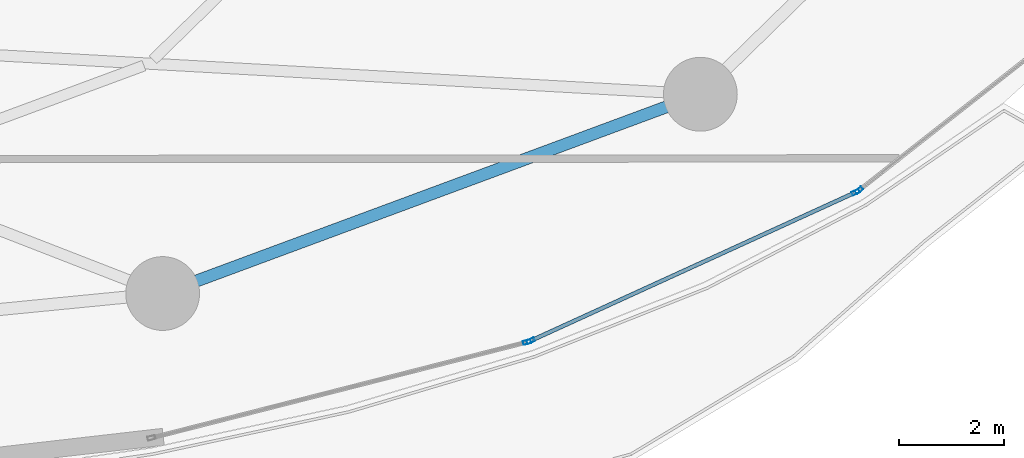
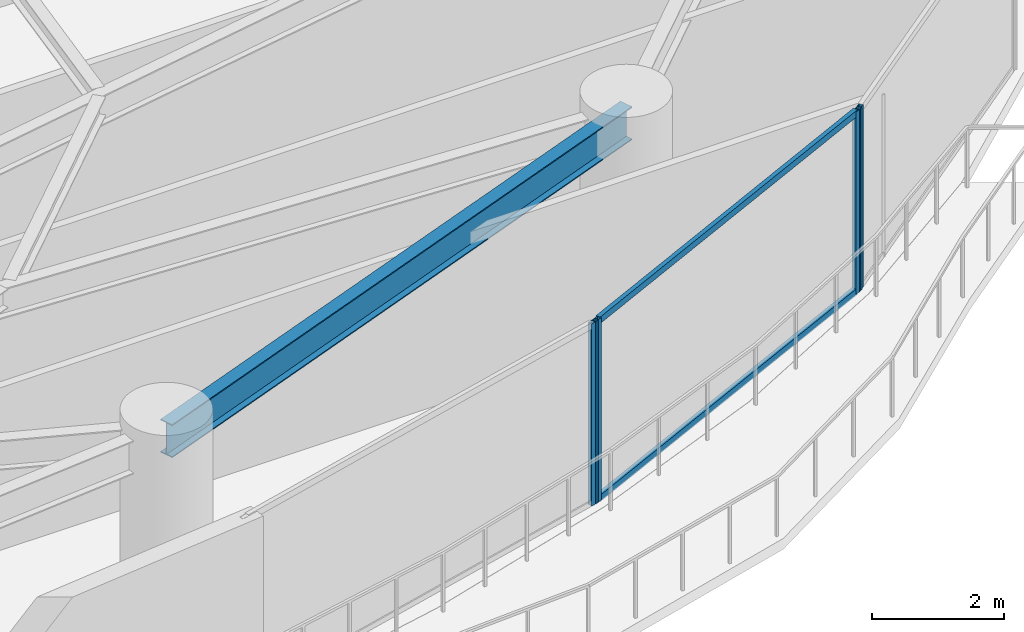
# One storey, part 13 of 31: 6 members, 1 beam, 3 elements without a shape of their own.
"""IFC4 building model written with IfcOpenShell, lengths in metres."""

import ifcopenshell
import ifcopenshell.guid

model = None  # the IFC model being written
_history = None  # IfcOwnerHistory: only IFC2X3 demands one
_inside = {}  # id of a spatial element -> (the spatial element, [elements in it])
_under = {}  # id of a project, library or spatial element -> (it, [spatial elements below it])
_declared = {}  # id of a project -> (the project, [libraries it declares])
_typed = {}  # id of a type object -> (the type object, [elements of that type])
_made_of = {}  # id of a material, layer set ... -> (it, [elements and type objects made of it])


def new_model(schema):
    """Start an empty IFC model of exactly this schema.

    Asked for "IFC4X3", IfcOpenShell would pick the latest addendum, in which some entities
    have other attributes; the version numbers below select the first issue.
    IFC2X3 requires an IfcOwnerHistory on every rooted entity: one is made here for all.
    """
    global model, _history
    if schema == "IFC4X3":
        model = ifcopenshell.file(schema_version=(4, 3, 0, 0))
    else:
        model = ifcopenshell.file(schema=schema)
    _inside.clear()
    _under.clear()
    _declared.clear()
    _typed.clear()
    _made_of.clear()
    _history = None
    if model.schema == "IFC2X3":
        org = make("IfcOrganization", Name="unknown")
        user = make(
            "IfcPersonAndOrganization",
            ThePerson=make("IfcPerson", FamilyName="unknown"),
            TheOrganization=org,
        )
        app = make(
            "IfcApplication",
            ApplicationDeveloper=org,
            Version="unknown",
            ApplicationFullName="unknown",
            ApplicationIdentifier="unknown",
        )
        _history = make(
            "IfcOwnerHistory",
            OwningUser=user,
            OwningApplication=app,
            ChangeAction="ADDED",
            CreationDate=0,
        )
    return model


def make(cls, **values):
    """One entity of the class cls with the attributes given. An attribute that is None is left unset."""
    return model.create_entity(
        cls, **{name: value for name, value in values.items() if value is not None}
    )


def rooted(cls, **values):
    """An entity with a GlobalId (a new one), such as an element, a storey or a relation."""
    return make(cls, GlobalId=ifcopenshell.guid.new(), OwnerHistory=_history, **values)


def si_unit(unit_type, name, prefix=None):
    """IfcSIUnit, for example si_unit("LENGTHUNIT", "METRE", prefix="MILLI")."""
    return make("IfcSIUnit", UnitType=unit_type, Prefix=prefix, Name=name)


def assignment(units):
    """IfcUnitAssignment: the units of a project."""
    return None if units is None else make("IfcUnitAssignment", Units=units)


def point(xyz):
    """IfcCartesianPoint."""
    return None if xyz is None else make("IfcCartesianPoint", Coordinates=xyz)


def direction(xyz):
    """IfcDirection."""
    return None if xyz is None else make("IfcDirection", DirectionRatios=xyz)


def frame(location, z_axis=None, x_axis=None):
    """IfcAxis2Placement3D, a coordinate frame: its origin and axes. An axis left out is left unset."""
    return make(
        "IfcAxis2Placement3D",
        Location=point(location),
        Axis=direction(z_axis),
        RefDirection=direction(x_axis),
    )


def frame_2d(location, x_axis=None):
    """IfcAxis2Placement2D, a coordinate frame in the plane: its origin and x axis."""
    return make(
        "IfcAxis2Placement2D", Location=point(location), RefDirection=direction(x_axis)
    )


def origin():
    """The frame at (0, 0, 0) with its axes left unset."""
    return frame((0.0, 0.0, 0.0))


def origin_2d():
    """The frame at (0, 0) in the plane with its x axis left unset."""
    return frame_2d((0.0, 0.0))


def place(relative_to, where):
    """IfcLocalPlacement: puts the frame where relative to a parent placement (None: the world)."""
    return make(
        "IfcLocalPlacement", PlacementRelTo=relative_to, RelativePlacement=where
    )


def context(
    kind, dimensions, precision=None, world=None, true_north=None, identifier=None
):
    """IfcGeometricRepresentationContext, for example the 3D "Model" context."""
    return make(
        "IfcGeometricRepresentationContext",
        ContextIdentifier=identifier,
        ContextType=kind,
        CoordinateSpaceDimension=dimensions,
        Precision=precision,
        WorldCoordinateSystem=world,
        TrueNorth=true_north,
    )


def subcontext(parent, identifier, kind, view, scale=None):
    """IfcGeometricRepresentationSubContext, for example "Body" below "Model"."""
    return make(
        "IfcGeometricRepresentationSubContext",
        ContextIdentifier=identifier,
        ContextType=kind,
        ParentContext=parent,
        TargetScale=scale,
        TargetView=view,
    )


def project(units=None, contexts=None):
    """IfcProject with its units and contexts."""
    return rooted(
        "IfcProject",
        Name="project",
        RepresentationContexts=contexts,
        UnitsInContext=assignment(units),
    )


def spatial(cls, under=None, at=None, **own):
    """A site, building, storey or space (cls), placed at a placement, below another one or the project."""
    s = rooted(cls, ObjectPlacement=at, **own)
    if under is not None:
        _under.setdefault(under.id(), (under, []))[1].append(s)
    return s


def profile(cls, at=None, kind="AREA", **sizes):
    """A parametric profile (cls). Its sizes go by their IFC names, for example OverallWidth=200.0."""
    return make(cls, ProfileType=kind, Position=at, **sizes)


def hollow_rectangle(**sizes):
    """IfcRectangleHollowProfileDef."""
    return profile("IfcRectangleHollowProfileDef", **sizes)


def i_section(**sizes):
    """IfcIShapeProfileDef."""
    return profile("IfcIShapeProfileDef", **sizes)


def extrude(swept, where, along, depth):
    """IfcExtrudedAreaSolid: the profile swept, set in the frame where, extruded along a direction by depth."""
    return make(
        "IfcExtrudedAreaSolid",
        SweptArea=swept,
        Position=where,
        ExtrudedDirection=direction(along),
        Depth=depth,
    )


def shape(context_of_items, identifier, shape_type, items):
    """IfcShapeRepresentation: the items that make up one representation, for example the "Body"."""
    return make(
        "IfcShapeRepresentation",
        ContextOfItems=context_of_items,
        RepresentationIdentifier=identifier,
        RepresentationType=shape_type,
        Items=items,
    )


def material(Name=None, Category=None):
    """IfcMaterial."""
    return make("IfcMaterial", Name=Name, Category=Category)


def layer(
    of_material, thickness, ventilated=None, Name=None, Category=None, Priority=None
):
    """IfcMaterialLayer: one layer of a wall or slab, of a material (None: an air gap)."""
    return make(
        "IfcMaterialLayer",
        Material=of_material,
        LayerThickness=thickness,
        IsVentilated=ventilated,
        Name=Name,
        Category=Category,
        Priority=Priority,
    )


def layer_set(layers, Name=None):
    """IfcMaterialLayerSet."""
    return make("IfcMaterialLayerSet", MaterialLayers=layers, LayerSetName=Name)


def material_profile(
    of_material, cross_section, Name=None, Category=None, Priority=None
):
    """IfcMaterialProfile: a cross section and its material."""
    return make(
        "IfcMaterialProfile",
        Name=Name,
        Material=of_material,
        Profile=cross_section,
        Priority=Priority,
        Category=Category,
    )


def profile_set(profiles, Name=None, composite=None):
    """IfcMaterialProfileSet."""
    return make(
        "IfcMaterialProfileSet",
        Name=Name,
        MaterialProfiles=profiles,
        CompositeProfile=composite,
    )


def made_of(thing, what):
    """Note that an element or type object is made of a material, layer set ...; save() writes the relation."""
    if what is not None:
        _made_of.setdefault(what.id(), (what, []))[1].append(thing)
    return thing


def type_object(cls, material=None, **own):
    """A type object (cls), such as IfcWallType, which elements share."""
    return made_of(rooted(cls, **own), material)


def element(
    cls,
    number,
    at=None,
    inside=None,
    cuts=None,
    type_object=None,
    material=None,
    context=None,
    identifier="Body",
    shape_type=None,
    held_by="IfcProductDefinitionShape",
    body=None,
    shapes=None,
    **own,
):
    """One element of the class cls, such as IfcWall. Its Tag is "e" and its number.

    at: its placement. inside: the storey or other place that contains it. cuts: it is an
    opening in that element (IfcRelVoidsElement). A single representation is given by context,
    identifier, shape_type and body (its items); several are given by shapes. held_by: the class
    of the entity that holds the representations. save() writes the other relations.
    """
    e = rooted(cls, Tag="e%d" % number, ObjectPlacement=at, **own)
    if body is not None:
        shapes = [shape(context, identifier, shape_type, body)]
    if shapes is not None:
        e.Representation = make(held_by, Representations=shapes)
    if inside is not None:
        _inside.setdefault(inside.id(), (inside, []))[1].append(e)
    if cuts is not None:
        rooted(
            "IfcRelVoidsElement", RelatingBuildingElement=cuts, RelatedOpeningElement=e
        )
    if type_object is not None:
        _typed.setdefault(type_object.id(), (type_object, []))[1].append(e)
    return made_of(e, material)


def aggregate(whole, parts):
    """IfcRelAggregates: a whole, such as a stair, and the parts it consists of."""
    return rooted("IfcRelAggregates", RelatingObject=whole, RelatedObjects=parts)


def save(model, path):
    """Write the relations noted so far, then the file.

    IfcRelAggregates (storeys below a building ...), IfcRelContainedInSpatialStructure (elements
    in a storey), IfcRelDefinesByType, IfcRelAssociatesMaterial and IfcRelDeclares: one each for
    every whole, place, type object, material and project.
    """
    for whole, parts in _under.values():
        aggregate(whole, parts)
    for where, things in _inside.values():
        rooted(
            "IfcRelContainedInSpatialStructure",
            RelatedElements=things,
            RelatingStructure=where,
        )
    for kind, things in _typed.values():
        rooted("IfcRelDefinesByType", RelatedObjects=things, RelatingType=kind)
    for what, things in _made_of.values():
        rooted("IfcRelAssociatesMaterial", RelatedObjects=things, RelatingMaterial=what)
    for by, libraries in _declared.values():
        rooted("IfcRelDeclares", RelatingContext=by, RelatedDefinitions=libraries)
    model.write(path)


model = new_model("IFC4")

# Units and contexts
model_context = context("Model", 3, precision=1e-05, world=origin(), true_north=direction((0.0, 1.0)))
body_context = subcontext(model_context, "Body", "Model", "MODEL_VIEW")
ifc_project = project(units=[si_unit("LENGTHUNIT", "METRE"), si_unit("AREAUNIT", "SQUARE_METRE"), si_unit("VOLUMEUNIT", "CUBIC_METRE"), si_unit("PLANEANGLEUNIT", "RADIAN"), si_unit("MASSUNIT", "GRAM", prefix="KILO")], contexts=[model_context])

# Site, building, storey
site_placement = place(None, origin())
site = spatial("IfcSite", under=ifc_project, at=site_placement, CompositionType="ELEMENT")
building_placement = place(site_placement, origin())
building = spatial("IfcBuilding", under=site, at=building_placement, Name="Kazevale Care Tower and Concert Hall", CompositionType="ELEMENT")
storey_placement = place(building_placement, frame((0.0, 0.0, 56.39990234375)))
storey = spatial("IfcBuildingStorey", under=building, at=storey_placement, Name="L14", CompositionType="ELEMENT", Elevation=56.39990234375)

# Curtain wall, member
ifc_material_1 = material(Name="Aluminium 6063-T6 and Low-E Glass", Category="aluminium")
ifc_layer = layer(ifc_material_1, 0.179931640625)
ifc_layer_set = layer_set([ifc_layer], Name="Aluminium 6063-T6 and Low-E Glass")
curtain_wall_type = type_object("IfcCurtainWallType", Name="Sheltered Concave Balcony Curtain Wall CW-5", PredefinedType="NOTDEFINED", material=ifc_layer_set)
curtain_wall_1_placement = place(storey_placement, origin())
curtain_wall_1 = element("IfcCurtainWall", 1, at=curtain_wall_1_placement, inside=storey, type_object=curtain_wall_type, Name="cw:L14:f02", PredefinedType="NOTDEFINED")
ifc_material_2 = material(Name="Aluminium 6063-T6", Category="aluminium")
ifc_material_profile_1 = material_profile(ifc_material_2, hollow_rectangle(XDim=0.074951171875, YDim=0.14990234375, WallThickness=0.00390625, at=origin_2d()), Name="ALU75x150x4")
ifc_profile_set_1 = profile_set([ifc_material_profile_1], Name="Aluminium 6063-T6")
member_type_1 = type_object("IfcMemberType", Name="CW-5 Mullion ALU75x150x4", PredefinedType="MULLION", material=ifc_profile_set_1)
member_1_placement = place(storey_placement, frame((70.25146484375, 20.490234375, 0.0), z_axis=(0.0, 0.0, 1.0), x_axis=(0.617807548814, -0.78632934107, 0.0)))
member_1 = element("IfcMember", 2, at=member_1_placement, type_object=member_type_1, Name="CW-5 mullion 2", PredefinedType="MULLION", context=body_context, shape_type="SweptSolid", body=[
    extrude(hollow_rectangle(XDim=0.074951171875, YDim=0.14990234375, WallThickness=0.00390625, at=origin_2d()), origin(), (0.0, 0.0, 1.0), 3.360107421875),
])
aggregate(curtain_wall_1, [member_1])

# Curtain wall, members
curtain_wall_2_placement = place(storey_placement, origin())
curtain_wall_2 = element("IfcCurtainWall", 3, at=curtain_wall_2_placement, inside=storey, type_object=curtain_wall_type, Name="cw:L14:f03", PredefinedType="NOTDEFINED")
member_2_placement = place(storey_placement, frame((70.18798828125, 20.451416015625, 0.0), z_axis=(0.0, 0.0, 1.0), x_axis=(0.415659767773, -0.909520179795, 0.0)))
member_2 = element("IfcMember", 4, at=member_2_placement, type_object=member_type_1, Name="CW-5 mullion 1", PredefinedType="MULLION", context=body_context, shape_type="SweptSolid", body=[
    extrude(hollow_rectangle(XDim=0.074951171875, YDim=0.14990234375, WallThickness=0.00390625, at=origin_2d()), origin(), (0.0, 0.0, 1.0), 3.360107421875),
])
member_3_placement = place(storey_placement, frame((64.022216796875, 17.633544921875, 0.0), z_axis=(0.0, 0.0, 1.0), x_axis=(0.415659767773, -0.909520179795, 0.0)))
member_3 = element("IfcMember", 5, at=member_3_placement, type_object=member_type_1, Name="CW-5 mullion 2", PredefinedType="MULLION", context=body_context, shape_type="SweptSolid", body=[
    extrude(hollow_rectangle(XDim=0.074951171875, YDim=0.14990234375, WallThickness=0.00390625, at=origin_2d()), origin(), (0.0, 0.0, 1.0), 3.360107421875),
])

# Curtain wall, member
curtain_wall_3_placement = place(storey_placement, origin())
curtain_wall_3 = element("IfcCurtainWall", 6, at=curtain_wall_3_placement, inside=storey, type_object=curtain_wall_type, Name="cw:L14:f04", PredefinedType="NOTDEFINED")
member_4_placement = place(storey_placement, frame((63.95166015625, 17.608642578125, 0.0), z_axis=(0.0, 0.0, 1.0), x_axis=(0.247221864936, -0.968958899798, 0.0)))
member_4 = element("IfcMember", 7, at=member_4_placement, type_object=member_type_1, Name="CW-5 mullion 1", PredefinedType="MULLION", context=body_context, shape_type="SweptSolid", body=[
    extrude(hollow_rectangle(XDim=0.074951171875, YDim=0.14990234375, WallThickness=0.00390625, at=origin_2d()), origin(), (0.0, 0.0, 1.0), 3.360107421875),
])
aggregate(curtain_wall_3, [member_4])

# Member
ifc_material_profile_2 = material_profile(ifc_material_2, hollow_rectangle(XDim=0.074951171875, YDim=0.1201171875, WallThickness=0.00390625, at=origin_2d()), Name="ALU75x120x4")
ifc_profile_set_2 = profile_set([ifc_material_profile_2], Name="Aluminium 6063-T6")
member_type_2 = type_object("IfcMemberType", Name="CW-5 Transom ALU75x120x4", PredefinedType="USERDEFINED", material=ifc_profile_set_2)
member_5_placement = place(storey_placement, frame((70.15380859375, 20.435791015625, 0.03759765625), z_axis=(-0.909524040017, -0.415651320978, 0.0), x_axis=(0.415651320978, -0.909524040017, 0.0)))
member_5 = element("IfcMember", 8, at=member_5_placement, type_object=member_type_2, Name="CW-5 transom 1.1", ObjectType="TRANSOM", PredefinedType="USERDEFINED", context=body_context, shape_type="SweptSolid", body=[
    extrude(hollow_rectangle(XDim=0.074951171875, YDim=0.1201171875, WallThickness=0.00390625, at=origin_2d()), origin(), (0.0, 0.0, 1.0), 6.704345703125),
])

member_6_placement = place(storey_placement, frame((70.15380859375, 20.435791015625, 3.322509765625), z_axis=(-0.909524040017, -0.415651320978, 0.0), x_axis=(0.415651320978, -0.909524040017, 0.0)))
member_6 = element("IfcMember", 9, at=member_6_placement, type_object=member_type_2, Name="CW-5 transom 1.2", ObjectType="TRANSOM", PredefinedType="USERDEFINED", context=body_context, shape_type="SweptSolid", body=[
    extrude(hollow_rectangle(XDim=0.074951171875, YDim=0.1201171875, WallThickness=0.00390625, at=origin_2d()), origin(), (0.0, 0.0, 1.0), 6.704345703125),
])

aggregate(curtain_wall_2, [member_2, member_3, member_5, member_6])

# Beam
ifc_material_3 = material(Name="Steel ASTM A572 Gr 50", Category="steel")
ifc_material_profile_3 = material_profile(ifc_material_3, i_section(OverallWidth=0.22900390625, OverallDepth=0.612060546875, WebThickness=0.011962890625, FlangeThickness=0.01953125, at=origin_2d()), Name="W610x125")
ifc_profile_set_3 = profile_set([ifc_material_profile_3], Name="Steel ASTM A572 Gr 50")
beam_type = type_object("IfcBeamType", Name="Ring Spandrel Beam W610x125", PredefinedType="SPANDREL", material=ifc_profile_set_3)
beam_placement = place(storey_placement, frame((57.0400390625, 18.530029296875, 3.05419921875), z_axis=(0.937680788596, 0.347497825458, 0.0), x_axis=(-0.347497825458, 0.937680788596, 0.0)))
element("IfcBeam", 10, at=beam_placement, inside=storey, type_object=beam_type, Name="beam:L14:ring:14", PredefinedType="SPANDREL", context=body_context, shape_type="SweptSolid", body=[
    extrude(i_section(OverallWidth=0.22900390625, OverallDepth=0.612060546875, WebThickness=0.011962890625, FlangeThickness=0.01953125, at=origin_2d()), origin(), (0.0, 0.0, 1.0), 10.8779296875),
])

save(model, "model.ifc")
